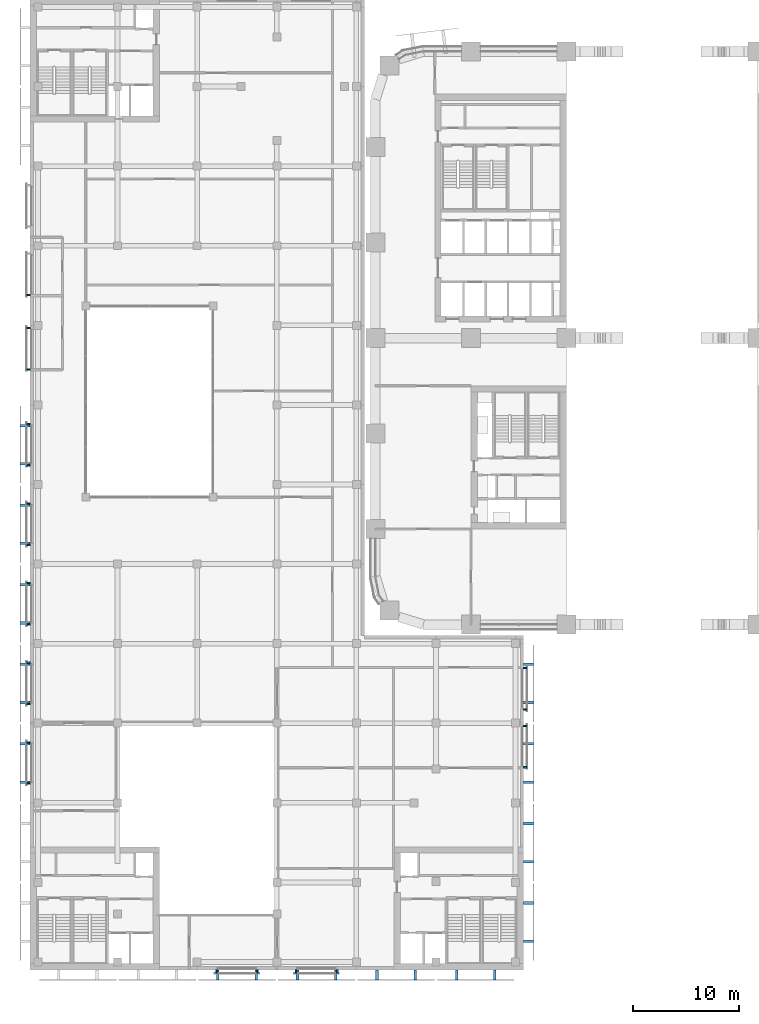
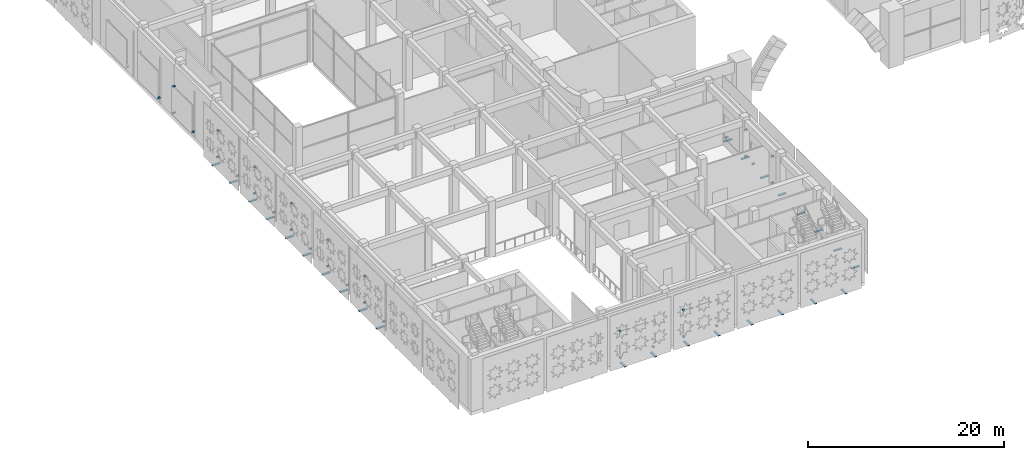
# One storey, part 27 of 42: 57 discrete accessories.
"""IFC4 building model written with IfcOpenShell, lengths in metres."""

from ifc_helpers import new_model, si_unit, direction, frame, origin, origin_2d, place, context, subcontext, project, spatial, rectangle, extrude, element, save


model = new_model("IFC4")

# Units and contexts
model_context = context("Model", 3, precision=1e-05, world=origin(), true_north=direction((0.0, 1.0)))
body_context = subcontext(model_context, "Body", "Model", "MODEL_VIEW")
ifc_project = project(units=[si_unit("LENGTHUNIT", "METRE"), si_unit("AREAUNIT", "SQUARE_METRE"), si_unit("VOLUMEUNIT", "CUBIC_METRE"), si_unit("PLANEANGLEUNIT", "RADIAN"), si_unit("MASSUNIT", "GRAM", prefix="KILO")], contexts=[model_context])

# Site, building, storey
site_placement = place(None, origin())
site = spatial("IfcSite", under=ifc_project, at=site_placement, CompositionType="ELEMENT")
building_placement = place(site_placement, origin())
building = spatial("IfcBuilding", under=site, at=building_placement, Name="Tessera Arch", CompositionType="ELEMENT")
storey_placement = place(building_placement, frame((0.0, 0.0, 14.0)))
storey = spatial("IfcBuildingStorey", under=building, at=storey_placement, Name="L02", CompositionType="ELEMENT", Elevation=14.0)

# Discrete accessories
for number, where, z_axis, x_axis, name in (
    (1, (-15.0, -32.699951171875, 0.675048828125), (0.0, 0.0, 1.0), (0.0, -1.0, 0.0), "Screen bracket"),
    (2, (-11.10009765625, -32.699951171875, 0.675048828125), (0.0, 0.0, 1.0), (0.0, -1.0, 0.0), "Screen bracket"),
    (3, (-15.0, -32.699951171875, 3.97509765625), (0.0, 0.0, 1.0), (0.0, -1.0, 0.0), "Screen bracket"),
    (4, (-7.5, -32.699951171875, 0.675048828125), (0.0, 0.0, 1.0), (0.0, -1.0, 0.0), "Screen bracket"),
    (5, (-3.60009765625, -32.699951171875, 0.675048828125), (0.0, 0.0, 1.0), (0.0, -1.0, 0.0), "Screen bracket"),
    (6, (-7.5, -32.699951171875, 3.97509765625), (0.0, 0.0, 1.0), (0.0, -1.0, 0.0), "Screen bracket"),
    (7, (14.10009765625, -13.449951171875, 0.675048828125), (0.0, 0.0, 1.0), (1.0, 0.0, 0.0), "Screen bracket"),
    (8, (14.10009765625, -9.550048828125, 0.675048828125), (0.0, 0.0, 1.0), (1.0, 0.0, 0.0), "Screen bracket"),
    (9, (14.10009765625, -13.449951171875, 3.97509765625), (0.0, 0.0, 1.0), (1.0, 0.0, 0.0), "Screen bracket"),
    (10, (14.10009765625, -8.0, 0.675048828125), (0.0, 0.0, 1.0), (1.0, 0.0, 0.0), "Screen bracket"),
    (11, (14.10009765625, -4.10009765625, 0.675048828125), (0.0, 0.0, 1.0), (1.0, 0.0, 0.0), "Screen bracket"),
    (12, (14.10009765625, -8.0, 3.97509765625), (0.0, 0.0, 1.0), (1.0, 0.0, 0.0), "Screen bracket"),
    (13, (-32.699951171875, 31.050048828125, 0.675048828125), (0.0, 0.0, 1.0), (-1.0, 0.0, 0.0), "Screen bracket"),
    (14, (-32.699951171875, 27.949951171875, 0.675048828125), (0.0, 0.0, 1.0), (-1.0, 0.0, 0.0), "Screen bracket"),
    (15, (-32.699951171875, 24.050048828125, 0.675048828125), (0.0, 0.0, 1.0), (-1.0, 0.0, 0.0), "Screen bracket"),
    (16, (-32.699951171875, 27.949951171875, 3.97509765625), (0.0, 0.0, 1.0), (-1.0, 0.0, 0.0), "Screen bracket"),
    (17, (-32.699951171875, 18.89990234375, 0.675048828125), (0.0, 0.0, 1.0), (-1.0, 0.0, 0.0), "Screen bracket"),
    (18, (-32.699951171875, 15.0, 0.675048828125), (0.0, 0.0, 1.0), (-1.0, 0.0, 0.0), "Screen bracket"),
    (19, (-32.699951171875, 18.89990234375, 3.97509765625), (0.0, 0.0, 1.0), (-1.0, 0.0, 0.0), "Screen bracket"),
    (20, (-32.699951171875, 11.39990234375, 0.675048828125), (0.0, 0.0, 1.0), (-1.0, 0.0, 0.0), "Screen bracket"),
    (21, (-32.699951171875, 7.5, 0.675048828125), (0.0, 0.0, 1.0), (-1.0, 0.0, 0.0), "Screen bracket"),
    (22, (-32.699951171875, 11.39990234375, 3.97509765625), (0.0, 0.0, 1.0), (-1.0, 0.0, 0.0), "Screen bracket"),
    (23, (-32.699951171875, 3.89990234375, 0.675048828125), (0.0, 0.0, 1.0), (-1.0, 0.0, 0.0), "Screen bracket"),
    (24, (-32.699951171875, 0.0, 0.675048828125), (0.0, 0.0, 1.0), (-1.0, 0.0, 0.0), "Screen bracket"),
    (25, (-32.699951171875, 3.89990234375, 3.97509765625), (0.0, 0.0, 1.0), (-1.0, 0.0, 0.0), "Screen bracket"),
    (26, (-32.699951171875, -3.60009765625, 0.675048828125), (0.0, 0.0, 1.0), (-1.0, 0.0, 0.0), "Screen bracket"),
    (27, (-32.699951171875, -7.5, 0.675048828125), (0.0, 0.0, 1.0), (-1.0, 0.0, 0.0), "Screen bracket"),
    (28, (-32.699951171875, -3.60009765625, 3.97509765625), (0.0, 0.0, 1.0), (-1.0, 0.0, 0.0), "Screen bracket"),
    (29, (-32.699951171875, -11.10009765625, 0.675048828125), (0.0, 0.0, 1.0), (-1.0, 0.0, 0.0), "Screen bracket"),
    (30, (-32.699951171875, -15.0, 0.675048828125), (0.0, 0.0, 1.0), (-1.0, 0.0, 0.0), "Screen bracket"),
    (31, (-32.699951171875, -11.10009765625, 3.97509765625), (0.0, 0.0, 1.0), (-1.0, 0.0, 0.0), "Screen bracket"),
):
    element("IfcDiscreteAccessory", number, at=place(storey_placement, frame(where, z_axis=z_axis, x_axis=x_axis)), inside=storey, Name=name, PredefinedType="BRACKET", context=body_context, shape_type="SweptSolid", body=[
        extrude(rectangle(XDim=0.300048828125, YDim=0.14990234375, at=origin_2d()), origin(), (0.0, 0.0, 1.0), 0.14990234375),
    ])
for number, where, z_axis, x_axis, name in (
    (32, (-14.85009765625, -33.02490234375, 0.0), (0.0, 0.0, 1.0), (0.0, -1.0, 0.0), "Screen panel bracket"),
    (33, (-11.25, -33.02490234375, 0.0), (0.0, 0.0, 1.0), (0.0, -1.0, 0.0), "Screen panel bracket"),
    (34, (-7.35009765625, -33.02490234375, 0.0), (0.0, 0.0, 1.0), (0.0, -1.0, 0.0), "Screen panel bracket"),
    (35, (-3.75, -33.02490234375, 0.0), (0.0, 0.0, 1.0), (0.0, -1.0, 0.0), "Screen panel bracket"),
    (36, (0.14990234375, -33.02490234375, 0.0), (0.0, 0.0, 1.0), (0.0, -1.0, 0.0), "Screen panel bracket"),
    (37, (3.75, -33.02490234375, 0.0), (0.0, 0.0, 1.0), (0.0, -1.0, 0.0), "Screen panel bracket"),
    (38, (7.64990234375, -33.02490234375, 0.0), (0.0, 0.0, 1.0), (0.0, -1.0, 0.0), "Screen panel bracket"),
    (39, (11.25, -33.02490234375, 0.0), (0.0, 0.0, 1.0), (0.0, -1.0, 0.0), "Screen panel bracket"),
    (40, (14.425048828125, -29.85009765625, 0.0), (0.0, 0.0, 1.0), (1.0, 0.0, 0.0), "Screen panel bracket"),
    (41, (14.425048828125, -26.25, 0.0), (0.0, 0.0, 1.0), (1.0, 0.0, 0.0), "Screen panel bracket"),
    (42, (14.425048828125, -22.35009765625, 0.0), (0.0, 0.0, 1.0), (1.0, 0.0, 0.0), "Screen panel bracket"),
    (43, (14.425048828125, -18.75, 0.0), (0.0, 0.0, 1.0), (1.0, 0.0, 0.0), "Screen panel bracket"),
    (44, (14.425048828125, -14.85009765625, 0.0), (0.0, 0.0, 1.0), (1.0, 0.0, 0.0), "Screen panel bracket"),
    (45, (14.425048828125, -11.25, 0.0), (0.0, 0.0, 1.0), (1.0, 0.0, 0.0), "Screen panel bracket"),
    (46, (14.425048828125, -7.35009765625, 0.0), (0.0, 0.0, 1.0), (1.0, 0.0, 0.0), "Screen panel bracket"),
    (47, (14.425048828125, -3.75, 0.0), (0.0, 0.0, 1.0), (1.0, 0.0, 0.0), "Screen panel bracket"),
    (48, (-33.02490234375, 18.75, 0.0), (0.0, 0.0, 1.0), (-1.0, 0.0, 0.0), "Screen panel bracket"),
    (49, (-33.02490234375, 15.14990234375, 0.0), (0.0, 0.0, 1.0), (-1.0, 0.0, 0.0), "Screen panel bracket"),
    (50, (-33.02490234375, 11.25, 0.0), (0.0, 0.0, 1.0), (-1.0, 0.0, 0.0), "Screen panel bracket"),
    (51, (-33.02490234375, 7.64990234375, 0.0), (0.0, 0.0, 1.0), (-1.0, 0.0, 0.0), "Screen panel bracket"),
    (52, (-33.02490234375, 3.75, 0.0), (0.0, 0.0, 1.0), (-1.0, 0.0, 0.0), "Screen panel bracket"),
    (53, (-33.02490234375, 0.14990234375, 0.0), (0.0, 0.0, 1.0), (-1.0, 0.0, 0.0), "Screen panel bracket"),
    (54, (-33.02490234375, -3.75, 0.0), (0.0, 0.0, 1.0), (-1.0, 0.0, 0.0), "Screen panel bracket"),
    (55, (-33.02490234375, -7.35009765625, 0.0), (0.0, 0.0, 1.0), (-1.0, 0.0, 0.0), "Screen panel bracket"),
    (56, (-33.02490234375, -11.25, 0.0), (0.0, 0.0, 1.0), (-1.0, 0.0, 0.0), "Screen panel bracket"),
    (57, (-33.02490234375, -14.85009765625, 0.0), (0.0, 0.0, 1.0), (-1.0, 0.0, 0.0), "Screen panel bracket"),
):
    element("IfcDiscreteAccessory", number, at=place(storey_placement, frame(where, z_axis=z_axis, x_axis=x_axis)), inside=storey, Name=name, PredefinedType="BRACKET", context=body_context, shape_type="SweptSolid", body=[
        extrude(rectangle(XDim=0.949951171875, YDim=0.25, at=origin_2d()), origin(), (0.0, 0.0, 1.0), 0.10009765625),
    ])

save(model, "model.ifc")
